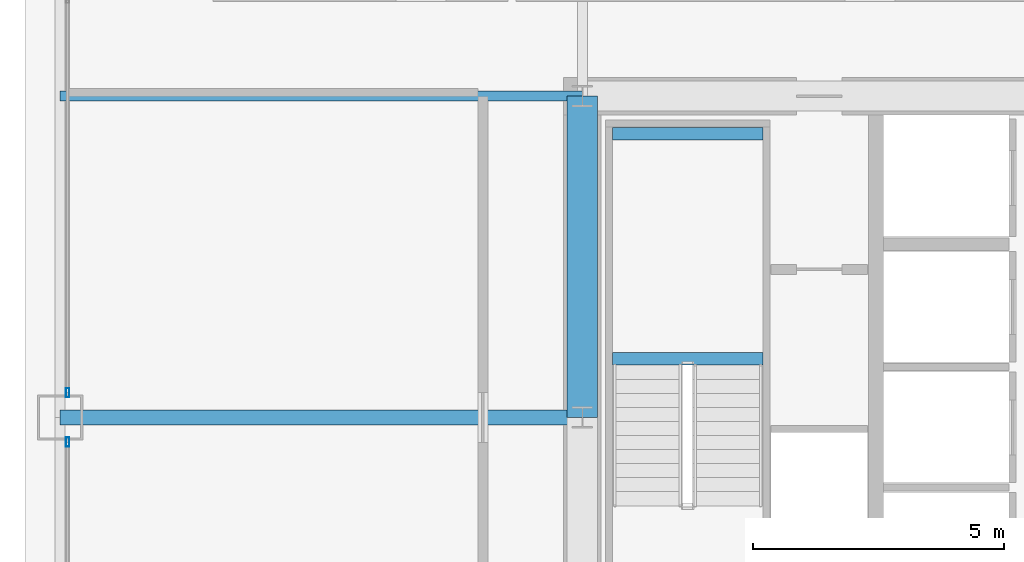
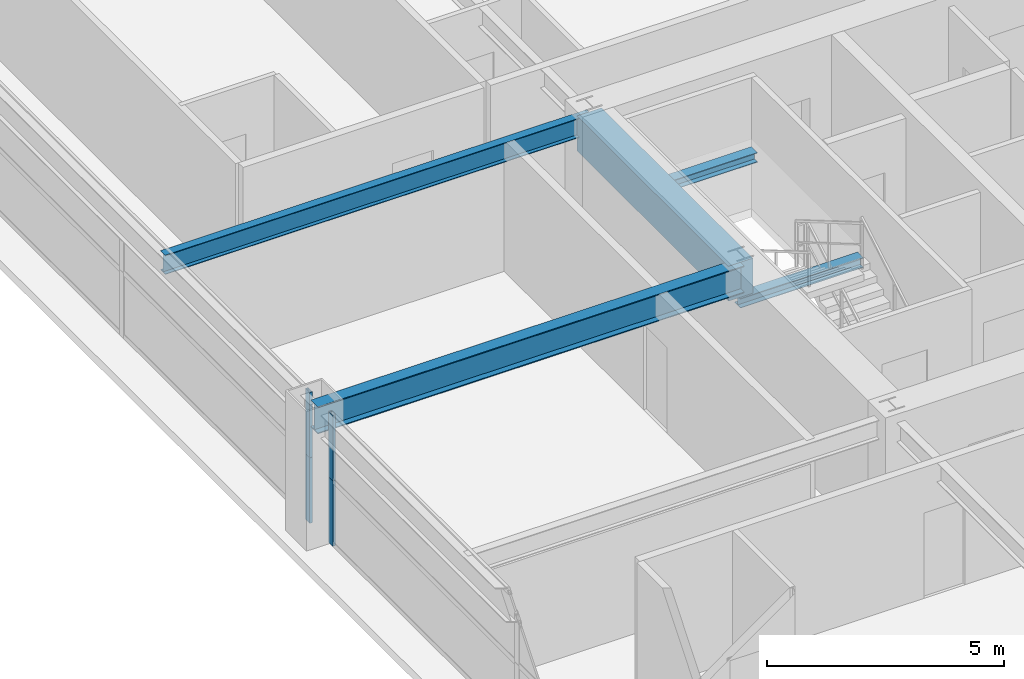
# One storey, part 12 of 41: 5 beams, 4 members, 2 elements without a shape of their own.
"""IFC4 building model written with IfcOpenShell, lengths in metres."""

from ifc_helpers import new_model, si_unit, direction, frame, origin, origin_2d, place, context, subcontext, project, spatial, rectangle, hollow_rectangle, i_section, extrude, source, transform, mapped, material, layer, layer_set, material_profile, profile_set, type_object, element, aggregate, save


model = new_model("IFC4")

# Units and contexts
model_context = context("Model", 3, precision=1e-05, world=origin(), true_north=direction((0.0, 1.0)))
body_context = subcontext(model_context, "Body", "Model", "MODEL_VIEW")
ifc_project = project(units=[si_unit("LENGTHUNIT", "METRE"), si_unit("AREAUNIT", "SQUARE_METRE"), si_unit("VOLUMEUNIT", "CUBIC_METRE"), si_unit("PLANEANGLEUNIT", "RADIAN"), si_unit("MASSUNIT", "GRAM", prefix="KILO"), si_unit("THERMODYNAMICTEMPERATUREUNIT", "KELVIN"), si_unit("POWERUNIT", "WATT")], contexts=[model_context])

# Site, building, storey
site_placement = place(None, origin())
site = spatial("IfcSite", under=ifc_project, at=site_placement, CompositionType="ELEMENT")
building_placement = place(site_placement, origin())
building = spatial("IfcBuilding", under=site, at=building_placement, Name="Yuzanri Waterfront Tower", CompositionType="ELEMENT")
storey_placement = place(building_placement, frame((0.0, 0.0, 122.60009765625)))
storey = spatial("IfcBuildingStorey", under=building, at=storey_placement, Name="L32", CompositionType="ELEMENT", Elevation=122.60009765625)

# Beams
ifc_material_1 = material(Name="Concrete C60", Category="concrete")
ifc_material_profile_1 = material_profile(ifc_material_1, rectangle(XDim=0.60009765625, YDim=0.89990234375, at=origin_2d()), Name="RC 600x900")
ifc_profile_set_1 = profile_set([ifc_material_profile_1], Name="Concrete C60")
beam_type_1 = type_object("IfcBeamType", Name="Core Coupling Lintel Concrete C60 600x900", PredefinedType="LINTEL", material=ifc_profile_set_1)
shared_shape_1 = source(origin(), body_context, "Body", "SweptSolid", [
    extrude(rectangle(XDim=0.60009765625, YDim=0.89990234375, at=origin_2d()), origin(), (0.0, 0.0, 1.0), 6.39990234375),
])
beam_1_placement = place(storey_placement, frame((23.800048828125, 25.800048828125, 2.929931640625), z_axis=(0.0, 1.0, 0.0), x_axis=(-1.0, 0.0, 0.0)))
element("IfcBeam", 1, at=beam_1_placement, inside=storey, type_object=beam_type_1, Name="L32 Core Tie Beam CW2", PredefinedType="LINTEL", context=body_context, shape_type="MappedRepresentation", body=[
    mapped(shared_shape_1, transform((0.0, 0.0, 0.0), scale=1.0)),
])
ifc_material_2 = material(Name="Steel Q355B", Category="steel")
ifc_material_profile_2 = material_profile(ifc_material_2, i_section(OverallWidth=0.300048828125, OverallDepth=0.699951171875, WebThickness=0.012939453125, FlangeThickness=0.02392578125, at=origin_2d()), Name="HN 700x300x13x24")
ifc_profile_set_2 = profile_set([ifc_material_profile_2], Name="Steel Q355B")
beam_type_2 = type_object("IfcBeamType", Name="Primary Floor Girder Q355B HN 700x300", PredefinedType="BEAM", material=ifc_profile_set_2)
shared_shape_2 = source(origin(), body_context, "Body", "SweptSolid", [
    extrude(i_section(OverallWidth=0.300048828125, OverallDepth=0.699951171875, WebThickness=0.012939453125, FlangeThickness=0.02392578125, at=origin_2d()), origin(), (0.0, 0.0, 1.0), 10.400146484375),
])
beam_2_placement = place(storey_placement, frame((23.800048828125, 25.800048828125, 3.02978515625), z_axis=(-1.0, 0.0, 0.0), x_axis=(0.0, -1.0, 0.0)))
element("IfcBeam", 2, at=beam_2_placement, inside=storey, type_object=beam_type_2, Name="L32 West Grid Girder", PredefinedType="BEAM", context=body_context, shape_type="MappedRepresentation", body=[
    mapped(shared_shape_2, transform((0.0, 0.0, 0.0), scale=1.0)),
])
ifc_material_3 = material(Name="Steel Q355B", Category="steel")
ifc_material_profile_3 = material_profile(ifc_material_3, i_section(OverallWidth=0.199951171875, OverallDepth=0.5, WebThickness=0.010009765625, FlangeThickness=0.01611328125, at=origin_2d()), Name="HN 500x200x10x16")
ifc_profile_set_3 = profile_set([ifc_material_profile_3], Name="Steel Q355B")
beam_type_3 = type_object("IfcBeamType", Name="Secondary Floor Beam Q355B HN 500x200", PredefinedType="BEAM", material=ifc_profile_set_3)
shared_shape_3 = source(origin(), body_context, "Body", "SweptSolid", [
    extrude(i_section(OverallWidth=0.199951171875, OverallDepth=0.5, WebThickness=0.010009765625, FlangeThickness=0.01611328125, at=origin_2d()), origin(), (0.0, 0.0, 1.0), 10.400146484375),
])
beam_3_placement = place(storey_placement, frame((23.800048828125, 32.199951171875, 3.1298828125), z_axis=(-1.0, 0.0, 0.0), x_axis=(0.0, -1.0, 0.0)))
element("IfcBeam", 3, at=beam_3_placement, inside=storey, type_object=beam_type_3, Name="L32 West-North Core Line Beam", PredefinedType="BEAM", context=body_context, shape_type="MappedRepresentation", body=[
    mapped(shared_shape_3, transform((0.0, 0.0, 0.0), scale=1.0)),
])

# Curtain wall, members
ifc_material_4 = material(Name="Anodized Architectural Bronze", Category="metal")
ifc_layer = layer(ifc_material_4, 0.159912109375)
ifc_layer_set = layer_set([ifc_layer], Name="Anodized Architectural Bronze")
curtain_wall_type = type_object("IfcCurtainWallType", Name="Anodized Bronze Hotel Upper-Tier Solar-Control Unitized Curtain Wall 7800", PredefinedType="NOTDEFINED", material=ifc_layer_set)
curtain_wall_1_placement = place(storey_placement, origin())
curtain_wall_1 = element("IfcCurtainWall", 4, at=curtain_wall_1_placement, inside=storey, type_object=curtain_wall_type, Name="L32 Curtain Wall CW-L32-WL", PredefinedType="NOTDEFINED")
ifc_material_5 = material(Name="Anodized Architectural Bronze", Category="metal")
ifc_material_profile_4 = material_profile(ifc_material_5, hollow_rectangle(XDim=0.070068359375, YDim=0.179931640625, WallThickness=0.00390625, at=origin_2d()), Name="CWM 70x180")
ifc_profile_set_4 = profile_set([ifc_material_profile_4], Name="Anodized Architectural Bronze")
member_type = type_object("IfcMemberType", Name="Anodized Bronze Standard Curtain-Wall Mullion 70x180", PredefinedType="MULLION", material=ifc_profile_set_4)
shared_shape_4 = source(origin(), body_context, "Body", "SweptSolid", [
    extrude(hollow_rectangle(XDim=0.070068359375, YDim=0.179931640625, WallThickness=0.00390625, at=origin_2d()), origin(), (0.0, 0.0, 1.0), 1.68798828125),
])
member_1_placement = place(storey_placement, frame((13.550048828125, 25.31005859375, 0.0), z_axis=(0.0, 0.0, 1.0), x_axis=(1.0, 0.0, 0.0)))
member_1 = element("IfcMember", 5, at=member_1_placement, type_object=member_type, Name="CW-L32-WL Lower Mullion 02", PredefinedType="MULLION", context=body_context, shape_type="MappedRepresentation", body=[
    mapped(shared_shape_4, transform((0.0, 0.0, 0.0), scale=1.0)),
])
member_2_placement = place(storey_placement, frame((13.550048828125, 25.31005859375, 1.69189453125), z_axis=(0.0, 0.0, 1.0), x_axis=(1.0, 0.0, 0.0)))
member_2 = element("IfcMember", 6, at=member_2_placement, type_object=member_type, Name="CW-L32-WL Upper Mullion 02", PredefinedType="MULLION", context=body_context, shape_type="MappedRepresentation", body=[
    mapped(shared_shape_4, transform((0.0, 0.0, 0.0), scale=1.0)),
])
aggregate(curtain_wall_1, [member_1, member_2])

curtain_wall_2_placement = place(storey_placement, origin())
curtain_wall_2 = element("IfcCurtainWall", 7, at=curtain_wall_2_placement, inside=storey, type_object=curtain_wall_type, Name="L32 Curtain Wall CW-L32-WR", PredefinedType="NOTDEFINED")
member_3_placement = place(storey_placement, frame((13.550048828125, 26.2900390625, 0.0), z_axis=(0.0, 0.0, 1.0), x_axis=(1.0, 0.0, 0.0)))
member_3 = element("IfcMember", 8, at=member_3_placement, type_object=member_type, Name="CW-L32-WR Lower Mullion 00", PredefinedType="MULLION", context=body_context, shape_type="MappedRepresentation", body=[
    mapped(shared_shape_4, transform((0.0, 0.0, 0.0), scale=1.0)),
])
member_4_placement = place(storey_placement, frame((13.550048828125, 26.2900390625, 1.69189453125), z_axis=(0.0, 0.0, 1.0), x_axis=(1.0, 0.0, 0.0)))
member_4 = element("IfcMember", 9, at=member_4_placement, type_object=member_type, Name="CW-L32-WR Upper Mullion 00", PredefinedType="MULLION", context=body_context, shape_type="MappedRepresentation", body=[
    mapped(shared_shape_4, transform((0.0, 0.0, 0.0), scale=1.0)),
])
aggregate(curtain_wall_2, [member_3, member_4])

# Beams
ifc_material_6 = material(Name="Steel Q355B", Category="steel")
ifc_material_profile_5 = material_profile(ifc_material_6, i_section(OverallWidth=0.25, OverallDepth=0.25, WebThickness=0.009033203125, FlangeThickness=0.013916015625, at=origin_2d()), Name="HW 250x250x9x14")
ifc_profile_set_5 = profile_set([ifc_material_profile_5], Name="Steel Q355B")
beam_type_4 = type_object("IfcBeamType", Name="Stair Landing Support Beam Q355B HW 250x250", PredefinedType="BEAM", material=ifc_profile_set_5)
shared_shape_5 = source(origin(), body_context, "Body", "SweptSolid", [
    extrude(i_section(OverallWidth=0.25, OverallDepth=0.25, WebThickness=0.009033203125, FlangeThickness=0.013916015625, at=origin_2d()), origin(), (0.0, 0.0, 1.0), 3.0),
])
for number, where, z_axis, x_axis, name in (
    (10, (24.39990234375, 26.969970703125, 1.474853515625), (1.0, 0.0, 0.0), (0.0, 1.0, 0.0), "L32 Stair Landing Support Beam ST-01-L32-L1-1"),
    (11, (24.39990234375, 31.449951171875, 1.474853515625), (1.0, 0.0, 0.0), (0.0, 1.0, 0.0), "L32 Stair Landing Support Beam ST-01-L32-L1-2"),
):
    element("IfcBeam", number, at=place(storey_placement, frame(where, z_axis=z_axis, x_axis=x_axis)), inside=storey, type_object=beam_type_4, Name=name, PredefinedType="BEAM", context=body_context, shape_type="MappedRepresentation", body=[
        mapped(shared_shape_5, transform((0.0, 0.0, 0.0), scale=1.0)),
    ])

save(model, "model.ifc")
